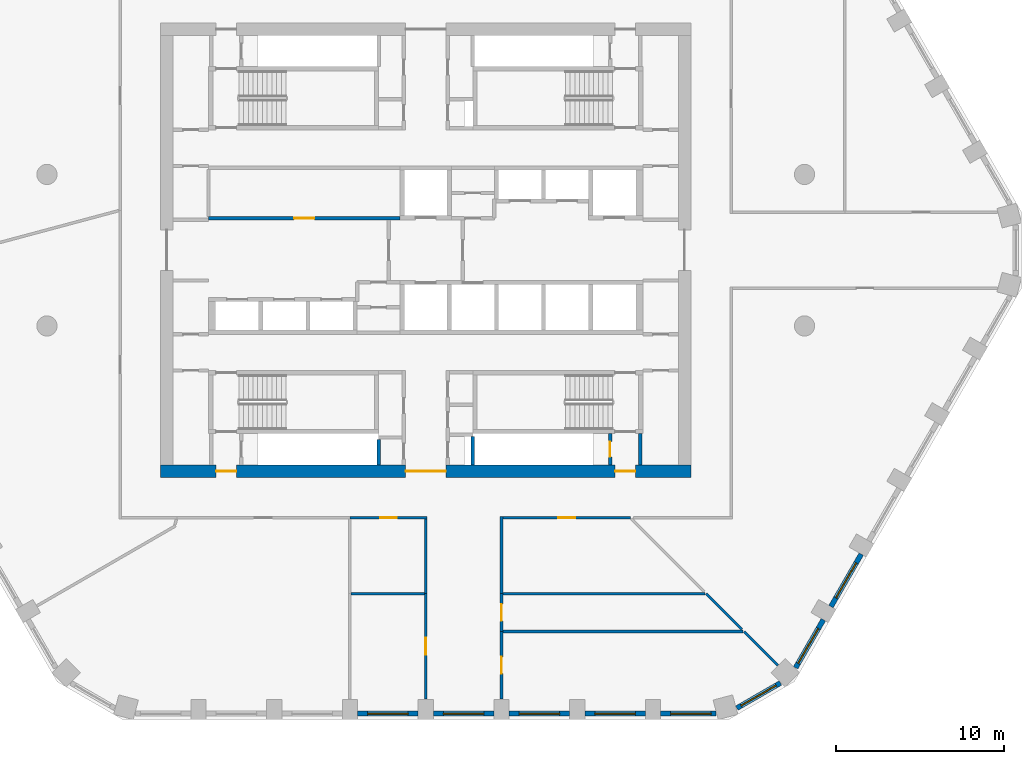
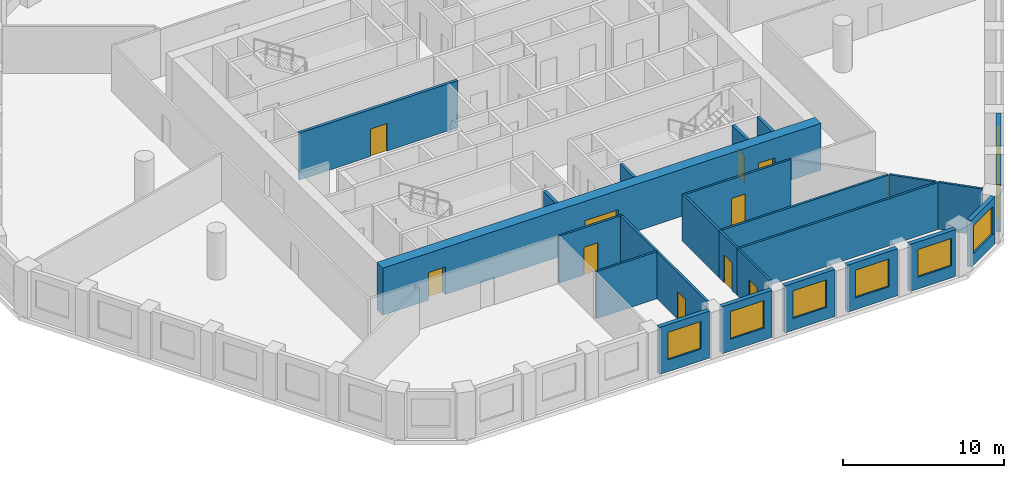
# One storey, part 3 of 9: 26 walls, 10 doors, 8 windows, 18 openings.
"""IFC4 building model written with IfcOpenShell, lengths in metres."""

from ifc_helpers import new_model, si_unit, direction, frame, frame_2d, origin, place, context, subcontext, project, spatial, rectangle, extrude, material, layer, layer_set, type_object, element, fill, save


model = new_model("IFC4")

# Units and contexts
model_context = context("Model", 3, precision=1e-05, world=origin(), true_north=direction((0.0, 1.0)))
body_context = subcontext(model_context, "Body", "Model", "MODEL_VIEW")
ifc_project = project(units=[si_unit("LENGTHUNIT", "METRE"), si_unit("AREAUNIT", "SQUARE_METRE"), si_unit("VOLUMEUNIT", "CUBIC_METRE"), si_unit("PLANEANGLEUNIT", "RADIAN"), si_unit("MASSUNIT", "GRAM", prefix="KILO")], contexts=[model_context])

# Site, building, storey
site_placement = place(None, origin())
site = spatial("IfcSite", under=ifc_project, at=site_placement, CompositionType="ELEMENT")
building_placement = place(site_placement, origin())
building = spatial("IfcBuilding", under=site, at=building_placement, Name="Dhurran Vertical Campus", CompositionType="ELEMENT")
storey_placement = place(building_placement, frame((0.0, 0.0, 171.60009765625)))
storey = spatial("IfcBuildingStorey", under=building, at=storey_placement, Name="L42", CompositionType="ELEMENT", Elevation=171.60009765625)

# Wall, opening, window
ifc_material_1 = material(Name="Precast concrete C50/60", Category="concrete")
ifc_layer_1 = layer(ifc_material_1, 0.300048828125)
ifc_layer_set_1 = layer_set([ifc_layer_1], Name="Precast concrete C50/60")
wall_type_1 = type_object("IfcWallType", Name="Precast spandrel wall 300", PredefinedType="SOLIDWALL", material=ifc_layer_set_1)
wall_1_placement = place(storey_placement, frame((-4.049560546875, -27.53271484375, 0.0), z_axis=(0.0, 0.0, 1.0), x_axis=(1.0, 0.0, 0.0)))
wall_1 = element("IfcWall", 1, at=wall_1_placement, inside=storey, type_object=wall_type_1, Name="EW1 L42.03", PredefinedType="SOLIDWALL", context=body_context, shape_type="SweptSolid", body=[
    extrude(rectangle(XDim=3.59912109375, YDim=0.300048828125, at=frame_2d((1.799560546875, 0.0))), origin(), (0.0, 0.0, 1.0), 3.574951171875),
])
opening_1_placement = place(wall_1_placement, frame((0.599609375, 0.0, 0.89990234375)))
opening_1 = element("IfcOpeningElement", 2, at=opening_1_placement, cuts=wall_1, Name="Opening WT1", PredefinedType="OPENING", context=body_context, shape_type="SweptSolid", body=[
    extrude(rectangle(XDim=2.39990234375, YDim=2.10009765625, at=frame_2d((1.199951171875, 1.050048828125))), frame((0.0, 0.159912109375, 0.0), z_axis=(0.0, -1.0, 0.0), x_axis=(1.0, 0.0, 0.0)), (0.0, 0.0, 1.0), 0.320068359375),
])
ifc_material_2 = material(Name="Aluminium frame with solar-control glass", Category="aluminium")
window_type = type_object("IfcWindowType", Name="Punched window 2400 x 2100", PartitioningType="SINGLE_PANEL", PredefinedType="WINDOW", material=ifc_material_2)
window_1_placement = place(opening_1_placement, origin())
window_1 = element("IfcWindow", 3, at=window_1_placement, inside=storey, type_object=window_type, Name="WT1 L42.03", OverallHeight=2.10009765625, OverallWidth=2.39990234375, PartitioningType="SINGLE_PANEL", PredefinedType="WINDOW", context=body_context, shape_type="SweptSolid", body=[
    extrude(rectangle(XDim=2.39990234375, YDim=2.10009765625, at=frame_2d((1.199951171875, 1.050048828125))), frame((0.0, 0.030029296875, 0.0), z_axis=(0.0, -1.0, 0.0), x_axis=(1.0, 0.0, 0.0)), (0.0, 0.0, 1.0), 0.06005859375),
])
fill(opening_1, window_1)

wall_2_placement = place(storey_placement, frame((0.450439453125, -27.53271484375, 0.0), z_axis=(0.0, 0.0, 1.0), x_axis=(1.0, 0.0, 0.0)))
wall_2 = element("IfcWall", 4, at=wall_2_placement, inside=storey, type_object=wall_type_1, Name="EW1 L42.04", PredefinedType="SOLIDWALL", context=body_context, shape_type="SweptSolid", body=[
    extrude(rectangle(XDim=3.59912109375, YDim=0.300048828125, at=frame_2d((1.799560546875, 0.0))), origin(), (0.0, 0.0, 1.0), 3.574951171875),
])
opening_2_placement = place(wall_2_placement, frame((0.599609375, 0.0, 0.89990234375)))
opening_2 = element("IfcOpeningElement", 5, at=opening_2_placement, cuts=wall_2, Name="Opening WT1", PredefinedType="OPENING", context=body_context, shape_type="SweptSolid", body=[
    extrude(rectangle(XDim=2.39990234375, YDim=2.10009765625, at=frame_2d((1.199951171875, 1.050048828125))), frame((0.0, 0.159912109375, 0.0), z_axis=(0.0, -1.0, 0.0), x_axis=(1.0, 0.0, 0.0)), (0.0, 0.0, 1.0), 0.320068359375),
])
window_2_placement = place(opening_2_placement, origin())
window_2 = element("IfcWindow", 6, at=window_2_placement, inside=storey, type_object=window_type, Name="WT1 L42.04", OverallHeight=2.10009765625, OverallWidth=2.39990234375, PartitioningType="SINGLE_PANEL", PredefinedType="WINDOW", context=body_context, shape_type="SweptSolid", body=[
    extrude(rectangle(XDim=2.39990234375, YDim=2.10009765625, at=frame_2d((1.199951171875, 1.050048828125))), frame((0.0, 0.030029296875, 0.0), z_axis=(0.0, -1.0, 0.0), x_axis=(1.0, 0.0, 0.0)), (0.0, 0.0, 1.0), 0.06005859375),
])
fill(opening_2, window_2)

wall_3_placement = place(storey_placement, frame((4.950439453125, -27.53271484375, 0.0), z_axis=(0.0, 0.0, 1.0), x_axis=(1.0, 0.0, 0.0)))
wall_3 = element("IfcWall", 7, at=wall_3_placement, inside=storey, type_object=wall_type_1, Name="EW1 L42.05", PredefinedType="SOLIDWALL", context=body_context, shape_type="SweptSolid", body=[
    extrude(rectangle(XDim=3.59912109375, YDim=0.300048828125, at=frame_2d((1.799560546875, 0.0))), origin(), (0.0, 0.0, 1.0), 3.574951171875),
])
opening_3_placement = place(wall_3_placement, frame((0.599609375, 0.0, 0.89990234375)))
opening_3 = element("IfcOpeningElement", 8, at=opening_3_placement, cuts=wall_3, Name="Opening WT1", PredefinedType="OPENING", context=body_context, shape_type="SweptSolid", body=[
    extrude(rectangle(XDim=2.39990234375, YDim=2.10009765625, at=frame_2d((1.199951171875, 1.050048828125))), frame((0.0, 0.159912109375, 0.0), z_axis=(0.0, -1.0, 0.0), x_axis=(1.0, 0.0, 0.0)), (0.0, 0.0, 1.0), 0.320068359375),
])
window_3_placement = place(opening_3_placement, origin())
window_3 = element("IfcWindow", 9, at=window_3_placement, inside=storey, type_object=window_type, Name="WT1 L42.05", OverallHeight=2.10009765625, OverallWidth=2.39990234375, PartitioningType="SINGLE_PANEL", PredefinedType="WINDOW", context=body_context, shape_type="SweptSolid", body=[
    extrude(rectangle(XDim=2.39990234375, YDim=2.10009765625, at=frame_2d((1.199951171875, 1.050048828125))), frame((0.0, 0.030029296875, 0.0), z_axis=(0.0, -1.0, 0.0), x_axis=(1.0, 0.0, 0.0)), (0.0, 0.0, 1.0), 0.06005859375),
])
fill(opening_3, window_3)

wall_4_placement = place(storey_placement, frame((9.450439453125, -27.53271484375, 0.0), z_axis=(0.0, 0.0, 1.0), x_axis=(1.0, 0.0, 0.0)))
wall_4 = element("IfcWall", 10, at=wall_4_placement, inside=storey, type_object=wall_type_1, Name="EW1 L42.06", PredefinedType="SOLIDWALL", context=body_context, shape_type="SweptSolid", body=[
    extrude(rectangle(XDim=3.59912109375, YDim=0.300048828125, at=frame_2d((1.799560546875, 0.0))), origin(), (0.0, 0.0, 1.0), 3.574951171875),
])
opening_4_placement = place(wall_4_placement, frame((0.599609375, 0.0, 0.89990234375)))
opening_4 = element("IfcOpeningElement", 11, at=opening_4_placement, cuts=wall_4, Name="Opening WT1", PredefinedType="OPENING", context=body_context, shape_type="SweptSolid", body=[
    extrude(rectangle(XDim=2.39990234375, YDim=2.10009765625, at=frame_2d((1.199951171875, 1.050048828125))), frame((0.0, 0.159912109375, 0.0), z_axis=(0.0, -1.0, 0.0), x_axis=(1.0, 0.0, 0.0)), (0.0, 0.0, 1.0), 0.320068359375),
])
window_4_placement = place(opening_4_placement, origin())
window_4 = element("IfcWindow", 12, at=window_4_placement, inside=storey, type_object=window_type, Name="WT1 L42.06", OverallHeight=2.10009765625, OverallWidth=2.39990234375, PartitioningType="SINGLE_PANEL", PredefinedType="WINDOW", context=body_context, shape_type="SweptSolid", body=[
    extrude(rectangle(XDim=2.39990234375, YDim=2.10009765625, at=frame_2d((1.199951171875, 1.050048828125))), frame((0.0, 0.030029296875, 0.0), z_axis=(0.0, -1.0, 0.0), x_axis=(1.0, 0.0, 0.0)), (0.0, 0.0, 1.0), 0.06005859375),
])
fill(opening_4, window_4)

wall_5_placement = place(storey_placement, frame((13.950439453125, -27.53271484375, 0.0), z_axis=(0.0, 0.0, 1.0), x_axis=(1.0, 0.0, 0.0)))
wall_5 = element("IfcWall", 13, at=wall_5_placement, inside=storey, type_object=wall_type_1, Name="EW1 L42.07", PredefinedType="SOLIDWALL", context=body_context, shape_type="SweptSolid", body=[
    extrude(rectangle(XDim=3.294189453125, YDim=0.300048828125, at=frame_2d((1.64697265625, 0.0))), origin(), (0.0, 0.0, 1.0), 3.574951171875),
])
opening_5_placement = place(wall_5_placement, frame((0.599609375, 0.0, 0.89990234375)))
opening_5 = element("IfcOpeningElement", 14, at=opening_5_placement, cuts=wall_5, Name="Opening WT1", PredefinedType="OPENING", context=body_context, shape_type="SweptSolid", body=[
    extrude(rectangle(XDim=2.39990234375, YDim=2.10009765625, at=frame_2d((1.199951171875, 1.050048828125))), frame((0.0, 0.159912109375, 0.0), z_axis=(0.0, -1.0, 0.0), x_axis=(1.0, 0.0, 0.0)), (0.0, 0.0, 1.0), 0.320068359375),
])
window_5_placement = place(opening_5_placement, origin())
window_5 = element("IfcWindow", 15, at=window_5_placement, inside=storey, type_object=window_type, Name="WT1 L42.07", OverallHeight=2.10009765625, OverallWidth=2.39990234375, PartitioningType="SINGLE_PANEL", PredefinedType="WINDOW", context=body_context, shape_type="SweptSolid", body=[
    extrude(rectangle(XDim=2.39990234375, YDim=2.10009765625, at=frame_2d((1.199951171875, 1.050048828125))), frame((0.0, 0.030029296875, 0.0), z_axis=(0.0, -1.0, 0.0), x_axis=(1.0, 0.0, 0.0)), (0.0, 0.0, 1.0), 0.06005859375),
])
fill(opening_5, window_5)

wall_6_placement = place(storey_placement, frame((18.479248046875, -27.201904296875, 0.0), z_axis=(0.0, 0.0, 1.0), x_axis=(0.866012844897, 0.500021752, 0.0)))
wall_6 = element("IfcWall", 16, at=wall_6_placement, inside=storey, type_object=wall_type_1, Name="EW1 L42.08", PredefinedType="SOLIDWALL", context=body_context, shape_type="SweptSolid", body=[
    extrude(rectangle(XDim=2.989013671875, YDim=0.300048828125, at=frame_2d((1.49462890625, 0.0))), origin(), (0.0, 0.0, 1.0), 3.574951171875),
])
opening_6_placement = place(wall_6_placement, frame((0.294677734375, 0.0, 0.89990234375)))
opening_6 = element("IfcOpeningElement", 17, at=opening_6_placement, cuts=wall_6, Name="Opening WT1", PredefinedType="OPENING", context=body_context, shape_type="SweptSolid", body=[
    extrude(rectangle(XDim=2.39990234375, YDim=2.10009765625, at=frame_2d((1.199951171875, 1.050048828125))), frame((0.0, 0.159912109375, 0.0), z_axis=(0.0, -1.0, 0.0), x_axis=(1.0, 0.0, 0.0)), (0.0, 0.0, 1.0), 0.320068359375),
])
window_6_placement = place(opening_6_placement, origin())
window_6 = element("IfcWindow", 18, at=window_6_placement, inside=storey, type_object=window_type, Name="WT1 L42.08", OverallHeight=2.10009765625, OverallWidth=2.39990234375, PartitioningType="SINGLE_PANEL", PredefinedType="WINDOW", context=body_context, shape_type="SweptSolid", body=[
    extrude(rectangle(XDim=2.39990234375, YDim=2.10009765625, at=frame_2d((1.199951171875, 1.050048828125))), frame((0.0, 0.030029296875, 0.0), z_axis=(0.0, -1.0, 0.0), x_axis=(1.0, 0.0, 0.0)), (0.0, 0.0, 1.0), 0.06005859375),
])
fill(opening_6, window_6)

wall_7_placement = place(storey_placement, frame((21.9716796875, -24.803466796875, 0.0), z_axis=(0.0, 0.0, 1.0), x_axis=(0.500036802197, 0.866004154983, 0.0)))
wall_7 = element("IfcWall", 19, at=wall_7_placement, inside=storey, type_object=wall_type_1, Name="EW1 L42.09", PredefinedType="SOLIDWALL", context=body_context, shape_type="SweptSolid", body=[
    extrude(rectangle(XDim=3.294189453125, YDim=0.300048828125, at=frame_2d((1.64697265625, 0.0))), origin(), (0.0, 0.0, 1.0), 3.574951171875),
])
opening_7_placement = place(wall_7_placement, frame((0.29443359375, 0.0, 0.89990234375)))
opening_7 = element("IfcOpeningElement", 20, at=opening_7_placement, cuts=wall_7, Name="Opening WT1", PredefinedType="OPENING", context=body_context, shape_type="SweptSolid", body=[
    extrude(rectangle(XDim=2.39990234375, YDim=2.10009765625, at=frame_2d((1.199951171875, 1.050048828125))), frame((0.0, 0.159912109375, 0.0), z_axis=(0.0, -1.0, 0.0), x_axis=(1.0, 0.0, 0.0)), (0.0, 0.0, 1.0), 0.320068359375),
])
window_7_placement = place(opening_7_placement, origin())
window_7 = element("IfcWindow", 21, at=window_7_placement, inside=storey, type_object=window_type, Name="WT1 L42.09", OverallHeight=2.10009765625, OverallWidth=2.39990234375, PartitioningType="SINGLE_PANEL", PredefinedType="WINDOW", context=body_context, shape_type="SweptSolid", body=[
    extrude(rectangle(XDim=2.39990234375, YDim=2.10009765625, at=frame_2d((1.199951171875, 1.050048828125))), frame((0.0, 0.030029296875, 0.0), z_axis=(0.0, -1.0, 0.0), x_axis=(1.0, 0.0, 0.0)), (0.0, 0.0, 1.0), 0.06005859375),
])
fill(opening_7, window_7)

wall_8_placement = place(storey_placement, frame((24.0693359375, -21.17041015625, 0.0), z_axis=(0.0, 0.0, 1.0), x_axis=(0.500027802648, 0.866009351323, 0.0)))
wall_8 = element("IfcWall", 22, at=wall_8_placement, inside=storey, type_object=wall_type_1, Name="EW1 L42.10", PredefinedType="SOLIDWALL", context=body_context, shape_type="SweptSolid", body=[
    extrude(rectangle(XDim=3.598876953125, YDim=0.300048828125, at=frame_2d((1.79931640625, 0.0))), origin(), (0.0, 0.0, 1.0), 3.574951171875),
])
opening_8_placement = place(wall_8_placement, frame((0.599609375, 0.0, 0.89990234375)))
opening_8 = element("IfcOpeningElement", 23, at=opening_8_placement, cuts=wall_8, Name="Opening WT1", PredefinedType="OPENING", context=body_context, shape_type="SweptSolid", body=[
    extrude(rectangle(XDim=2.39990234375, YDim=2.10009765625, at=frame_2d((1.199951171875, 1.050048828125))), frame((0.0, 0.159912109375, 0.0), z_axis=(0.0, -1.0, 0.0), x_axis=(1.0, 0.0, 0.0)), (0.0, 0.0, 1.0), 0.320068359375),
])
window_8_placement = place(opening_8_placement, origin())
window_8 = element("IfcWindow", 24, at=window_8_placement, inside=storey, type_object=window_type, Name="WT1 L42.10", OverallHeight=2.10009765625, OverallWidth=2.39990234375, PartitioningType="SINGLE_PANEL", PredefinedType="WINDOW", context=body_context, shape_type="SweptSolid", body=[
    extrude(rectangle(XDim=2.39990234375, YDim=2.10009765625, at=frame_2d((1.199951171875, 1.050048828125))), frame((0.0, 0.030029296875, 0.0), z_axis=(0.0, -1.0, 0.0), x_axis=(1.0, 0.0, 0.0)), (0.0, 0.0, 1.0), 0.06005859375),
])
fill(opening_8, window_8)

# Wall, openings, doors
ifc_material_3 = material(Name="Concrete C60/75", Category="concrete")
ifc_layer_2 = layer(ifc_material_3, 0.75)
ifc_layer_set_2 = layer_set([ifc_layer_2], Name="Concrete C60/75")
wall_type_2 = type_object("IfcWallType", Name="co-CORE-WALL-C1-750", PredefinedType="SHEAR", material=ifc_layer_set_2)
wall_9_placement = place(storey_placement, frame((-15.75, -13.125, 0.0), z_axis=(0.0, 0.0, 1.0), x_axis=(1.0, 0.0, 0.0)))
wall_9 = element("IfcWall", 25, at=wall_9_placement, inside=storey, type_object=wall_type_2, Name="Core wall S L42", PredefinedType="SHEAR", context=body_context, shape_type="SweptSolid", body=[
    extrude(rectangle(XDim=31.5, YDim=0.75, at=frame_2d((15.75, 0.0))), origin(), (0.0, 0.0, 1.0), 3.574951171875),
])
opening_9_placement = place(wall_9_placement, frame((14.550048828125, 0.0, 0.0)))
opening_9 = element("IfcOpeningElement", 26, at=opening_9_placement, cuts=wall_9, Name="Opening CV2", PredefinedType="OPENING", context=body_context, shape_type="SweptSolid", body=[
    extrude(rectangle(XDim=2.39990234375, YDim=2.10009765625, at=frame_2d((1.199951171875, 1.050048828125))), frame((0.0, 0.385009765625, 0.0), z_axis=(0.0, -1.0, 0.0), x_axis=(1.0, 0.0, 0.0)), (0.0, 0.0, 1.0), 0.77001953125),
])
opening_10_placement = place(wall_9_placement, frame((3.300048828125, 0.0, 0.0)))
opening_10 = element("IfcOpeningElement", 27, at=opening_10_placement, cuts=wall_9, Name="Opening XD3", PredefinedType="OPENING", context=body_context, shape_type="SweptSolid", body=[
    extrude(rectangle(XDim=1.199951171875, YDim=2.10009765625, at=frame_2d((0.60009765625, 1.050048828125))), frame((0.0, 0.385009765625, 0.0), z_axis=(0.0, -1.0, 0.0), x_axis=(1.0, 0.0, 0.0)), (0.0, 0.0, 1.0), 0.77001953125),
])
opening_11_placement = place(wall_9_placement, frame((27.0, 0.0, 0.0)))
opening_11 = element("IfcOpeningElement", 28, at=opening_11_placement, cuts=wall_9, Name="Opening XD4", PredefinedType="OPENING", context=body_context, shape_type="SweptSolid", body=[
    extrude(rectangle(XDim=1.199951171875, YDim=2.10009765625, at=frame_2d((0.60009765625, 1.050048828125))), frame((0.0, 0.385009765625, 0.0), z_axis=(0.0, -1.0, 0.0), x_axis=(1.0, 0.0, 0.0)), (0.0, 0.0, 1.0), 0.77001953125),
])
ifc_material_4 = material(Name="Fire-rated glazed door set")
door_type_1 = type_object("IfcDoorType", Name="co-D-LOBBY 2400x2100", OperationType="DOUBLE_DOOR_DOUBLE_SWING", PredefinedType="DOOR", material=ifc_material_4)
door_1_placement = place(opening_9_placement, origin())
door_1 = element("IfcDoor", 29, at=door_1_placement, inside=storey, type_object=door_type_1, Name="Core vestibule door S L42", OperationType="DOUBLE_DOOR_DOUBLE_SWING", OverallHeight=2.10009765625, OverallWidth=2.39990234375, PredefinedType="DOOR", context=body_context, shape_type="SweptSolid", body=[
    extrude(rectangle(XDim=2.39990234375, YDim=2.10009765625, at=frame_2d((1.199951171875, 1.050048828125))), frame((0.0, 0.02490234375, 0.0), z_axis=(0.0, -1.0, 0.0), x_axis=(1.0, 0.0, 0.0)), (0.0, 0.0, 1.0), 0.050048828125),
])
fill(opening_9, door_1)
ifc_material_5 = material(Name="Fire-rated steel door set", Category="steel")
door_type_2 = type_object("IfcDoorType", Name="co-D-STAIR-EXIT 1200x2100", OperationType="SINGLE_SWING_RIGHT", PredefinedType="DOOR", material=ifc_material_5)
door_2_placement = place(opening_10_placement, origin())
door_2 = element("IfcDoor", 30, at=door_2_placement, inside=storey, type_object=door_type_2, Name="Stair ST3 exit door L42", OperationType="SINGLE_SWING_RIGHT", OverallHeight=2.10009765625, OverallWidth=1.199951171875, PredefinedType="DOOR", context=body_context, shape_type="SweptSolid", body=[
    extrude(rectangle(XDim=1.199951171875, YDim=2.10009765625, at=frame_2d((0.60009765625, 1.050048828125))), frame((0.0, 0.02490234375, 0.0), z_axis=(0.0, -1.0, 0.0), x_axis=(1.0, 0.0, 0.0)), (0.0, 0.0, 1.0), 0.050048828125),
])
fill(opening_10, door_2)
door_3_placement = place(opening_11_placement, origin())
door_3 = element("IfcDoor", 31, at=door_3_placement, inside=storey, type_object=door_type_2, Name="Stair ST4 exit door L42", OperationType="SINGLE_SWING_RIGHT", OverallHeight=2.10009765625, OverallWidth=1.199951171875, PredefinedType="DOOR", context=body_context, shape_type="SweptSolid", body=[
    extrude(rectangle(XDim=1.199951171875, YDim=2.10009765625, at=frame_2d((0.60009765625, 1.050048828125))), frame((0.0, 0.02490234375, 0.0), z_axis=(0.0, -1.0, 0.0), x_axis=(1.0, 0.0, 0.0)), (0.0, 0.0, 1.0), 0.050048828125),
])
fill(opening_11, door_3)

# Wall
ifc_material_6 = material(Name="Fire-rated masonry blockwork", Category="masonry")
ifc_layer_3 = layer(ifc_material_6, 0.199951171875)
ifc_layer_set_3 = layer_set([ifc_layer_3], Name="Fire-rated masonry blockwork")
wall_type_3 = type_object("IfcWallType", Name="co-FIRE-PARTITION-200", PredefinedType="PARTITIONING", material=ifc_layer_set_3)
wall_10_placement = place(storey_placement, frame((12.75, -12.75, 0.0), z_axis=(0.0, 0.0, 1.0), x_axis=(0.0, 1.0, 0.0)))
element("IfcWall", 32, at=wall_10_placement, inside=storey, type_object=wall_type_3, Name="Core partition pass-ST4-o L42", PredefinedType="PARTITIONING", context=body_context, shape_type="SweptSolid", body=[
    extrude(rectangle(XDim=1.85009765625, YDim=0.199951171875, at=frame_2d((0.925048828125, 0.0))), origin(), (0.0, 0.0, 1.0), 3.574951171875),
])

# Wall, opening, door
wall_11_placement = place(storey_placement, frame((10.949951171875, -12.75, 0.0), z_axis=(0.0, 0.0, 1.0), x_axis=(0.0, 1.0, 0.0)))
wall_11 = element("IfcWall", 33, at=wall_11_placement, inside=storey, type_object=wall_type_3, Name="Core partition pass-ST4-i L42", PredefinedType="PARTITIONING", context=body_context, shape_type="SweptSolid", body=[
    extrude(rectangle(XDim=1.85009765625, YDim=0.199951171875, at=frame_2d((0.925048828125, 0.0))), origin(), (0.0, 0.0, 1.0), 3.574951171875),
])
opening_12_placement = place(wall_11_placement, frame((0.47509765625, 0.0, 0.0)))
opening_12 = element("IfcOpeningElement", 34, at=opening_12_placement, cuts=wall_11, Name="Opening T12-C13", PredefinedType="OPENING", context=body_context, shape_type="SweptSolid", body=[
    extrude(rectangle(XDim=0.89990234375, YDim=2.10009765625, at=frame_2d((0.449951171875, 1.050048828125))), frame((0.0, 0.10986328125, 0.0), z_axis=(0.0, -1.0, 0.0), x_axis=(1.0, 0.0, 0.0)), (0.0, 0.0, 1.0), 0.219970703125),
])
ifc_material_7 = material(Name="Fire-rated timber door set", Category="wood")
door_type_3 = type_object("IfcDoorType", Name="co-D-ROOM 900x2100", OperationType="SINGLE_SWING_LEFT", PredefinedType="DOOR", material=ifc_material_7)
door_4_placement = place(opening_12_placement, origin())
door_4 = element("IfcDoor", 35, at=door_4_placement, inside=storey, type_object=door_type_3, Name="Riser room door L42", OperationType="SINGLE_SWING_LEFT", OverallHeight=2.10009765625, OverallWidth=0.89990234375, PredefinedType="DOOR", context=body_context, shape_type="SweptSolid", body=[
    extrude(rectangle(XDim=0.89990234375, YDim=2.10009765625, at=frame_2d((0.449951171875, 1.050048828125))), frame((0.0, 0.02490234375, 0.0), z_axis=(0.0, -1.0, 0.0), x_axis=(1.0, 0.0, 0.0)), (0.0, 0.0, 1.0), 0.050048828125),
])
fill(opening_12, door_4)

wall_12_placement = place(storey_placement, frame((-12.89990234375, 1.89990234375, 0.0), z_axis=(0.0, 0.0, 1.0), x_axis=(1.0, 0.0, 0.0)))
wall_12 = element("IfcWall", 36, at=wall_12_placement, inside=storey, type_object=wall_type_3, Name="Core partition fr-N0-f L42", PredefinedType="PARTITIONING", context=body_context, shape_type="SweptSolid", body=[
    extrude(rectangle(XDim=11.375, YDim=0.199951171875, at=frame_2d((5.6875, 0.0))), origin(), (0.0, 0.0, 1.0), 3.574951171875),
])
opening_13_placement = place(wall_12_placement, frame((5.08740234375, 0.0, 0.0)))
opening_13 = element("IfcOpeningElement", 37, at=opening_13_placement, cuts=wall_12, Name="Opening T12-C22", PredefinedType="OPENING", context=body_context, shape_type="SweptSolid", body=[
    extrude(rectangle(XDim=1.199951171875, YDim=2.10009765625, at=frame_2d((0.60009765625, 1.050048828125))), frame((0.0, 0.10986328125, 0.0), z_axis=(0.0, -1.0, 0.0), x_axis=(1.0, 0.0, 0.0)), (0.0, 0.0, 1.0), 0.219970703125),
])
ifc_material_8 = material(Name="Fire-rated steel door set", Category="steel")
door_type_4 = type_object("IfcDoorType", Name="co-D-ROOM-PASSAGE 1200x2100", OperationType="SINGLE_SWING_RIGHT", PredefinedType="DOOR", material=ifc_material_8)
door_5_placement = place(opening_13_placement, origin())
door_5 = element("IfcDoor", 38, at=door_5_placement, inside=storey, type_object=door_type_4, Name="Plant room door L42", OperationType="SINGLE_SWING_RIGHT", OverallHeight=2.10009765625, OverallWidth=1.199951171875, PredefinedType="DOOR", context=body_context, shape_type="SweptSolid", body=[
    extrude(rectangle(XDim=1.199951171875, YDim=2.10009765625, at=frame_2d((0.60009765625, 1.050048828125))), frame((0.0, 0.02490234375, 0.0), z_axis=(0.0, -1.0, 0.0), x_axis=(1.0, 0.0, 0.0)), (0.0, 0.0, 1.0), 0.050048828125),
])
fill(opening_13, door_5)

# Walls
wall_13_placement = place(storey_placement, frame((-2.800048828125, -12.7490234375, 0.0), z_axis=(0.0, 0.0, 1.0), x_axis=(0.0, 1.0, 0.0)))
element("IfcWall", 39, at=wall_13_placement, inside=storey, type_object=wall_type_3, Name="Riser enclosure wall L42", PredefinedType="PARTITIONING", context=body_context, shape_type="SweptSolid", body=[
    extrude(rectangle(XDim=1.51806640625, YDim=0.199951171875, at=frame_2d((0.759033203125, 0.0))), origin(), (0.0, 0.0, 1.0), 3.574951171875),
])
wall_14_placement = place(storey_placement, frame((2.800048828125, -12.7490234375, 0.0), z_axis=(0.0, 0.0, 1.0), x_axis=(0.0, 1.0, 0.0)))
element("IfcWall", 40, at=wall_14_placement, inside=storey, type_object=wall_type_3, Name="Riser enclosure wall L42", PredefinedType="PARTITIONING", context=body_context, shape_type="SweptSolid", body=[
    extrude(rectangle(XDim=1.679931640625, YDim=0.199951171875, at=frame_2d((0.83984375, 0.0))), origin(), (0.0, 0.0, 1.0), 3.574951171875),
])

# Wall, opening, door
ifc_material_9 = material(Name="Gypsum board corridor wall on steel studs", Category="steel")
ifc_layer_4 = layer(ifc_material_9, 0.14990234375)
ifc_layer_set_4 = layer_set([ifc_layer_4], Name="Gypsum board corridor wall on steel studs")
wall_type_4 = type_object("IfcWallType", Name="fl-CW-150 corridor wall", PredefinedType="PARTITIONING", material=ifc_layer_set_4)
wall_15_placement = place(storey_placement, frame((-4.5, -15.89990234375, 0.0), z_axis=(0.0, 0.0, 1.0), x_axis=(1.0, 0.0, 0.0)))
wall_15 = element("IfcWall", 41, at=wall_15_placement, inside=storey, type_object=wall_type_4, Name="Partition 42-15", PredefinedType="PARTITIONING", context=body_context, shape_type="SweptSolid", body=[
    extrude(rectangle(XDim=4.574951171875, YDim=0.14990234375, at=frame_2d((2.28759765625, 0.0))), origin(), (0.0, 0.0, 1.0), 3.574951171875),
])
opening_14_placement = place(wall_15_placement, frame((1.78759765625, 0.0, 0.0)))
opening_14 = element("IfcOpeningElement", 42, at=opening_14_placement, cuts=wall_15, Name="Opening T12.06", PredefinedType="OPENING", context=body_context, shape_type="SweptSolid", body=[
    extrude(rectangle(XDim=1.0, YDim=2.10009765625, at=frame_2d((0.5, 1.050048828125))), frame((0.0, 0.0849609375, 0.0), z_axis=(0.0, -1.0, 0.0), x_axis=(1.0, 0.0, 0.0)), (0.0, 0.0, 1.0), 0.169921875),
])
ifc_material_10 = material(Name="Solid-core timber door set, fire-rated", Category="wood")
door_type_5 = type_object("IfcDoorType", Name="fl-D-1000x2100", OperationType="SINGLE_SWING_LEFT", PredefinedType="DOOR", material=ifc_material_10)
door_6_placement = place(opening_14_placement, origin())
door_6 = element("IfcDoor", 43, at=door_6_placement, inside=storey, type_object=door_type_5, Name="Door 42.06", OperationType="SINGLE_SWING_LEFT", OverallHeight=2.10009765625, OverallWidth=1.0, PredefinedType="DOOR", context=body_context, shape_type="SweptSolid", body=[
    extrude(rectangle(XDim=1.0, YDim=2.10009765625, at=frame_2d((0.5, 1.050048828125))), frame((0.0, 0.02490234375, 0.0), z_axis=(0.0, -1.0, 0.0), x_axis=(1.0, 0.0, 0.0)), (0.0, 0.0, 1.0), 0.050048828125),
])
fill(opening_14, door_6)

wall_16_placement = place(storey_placement, frame((0.0, -26.66259765625, 0.0), z_axis=(0.0, 0.0, 1.0), x_axis=(0.0, 1.0, 0.0)))
wall_16 = element("IfcWall", 44, at=wall_16_placement, inside=storey, type_object=wall_type_4, Name="Partition 42-20", PredefinedType="PARTITIONING", context=body_context, shape_type="SweptSolid", body=[
    extrude(rectangle(XDim=6.2626953125, YDim=0.14990234375, at=frame_2d((3.13134765625, 0.0))), origin(), (0.0, 0.0, 1.0), 3.574951171875),
])
opening_15_placement = place(wall_16_placement, frame((2.63134765625, 0.0, 0.0)))
opening_15 = element("IfcOpeningElement", 45, at=opening_15_placement, cuts=wall_16, Name="Opening T12.05", PredefinedType="OPENING", context=body_context, shape_type="SweptSolid", body=[
    extrude(rectangle(XDim=1.0, YDim=2.10009765625, at=frame_2d((0.5, 1.050048828125))), frame((0.0, 0.0849609375, 0.0), z_axis=(0.0, -1.0, 0.0), x_axis=(1.0, 0.0, 0.0)), (0.0, 0.0, 1.0), 0.169921875),
])
door_7_placement = place(opening_15_placement, origin())
door_7 = element("IfcDoor", 46, at=door_7_placement, inside=storey, type_object=door_type_5, Name="Door 42.05", OperationType="SINGLE_SWING_RIGHT", OverallHeight=2.10009765625, OverallWidth=1.0, PredefinedType="DOOR", context=body_context, shape_type="SweptSolid", body=[
    extrude(rectangle(XDim=1.0, YDim=2.10009765625, at=frame_2d((0.5, 1.050048828125))), frame((0.0, 0.02490234375, 0.0), z_axis=(0.0, -1.0, 0.0), x_axis=(1.0, 0.0, 0.0)), (0.0, 0.0, 1.0), 0.050048828125),
])
fill(opening_15, door_7)

# Wall
wall_17_placement = place(storey_placement, frame((0.0, -20.39990234375, 0.0), z_axis=(0.0, 0.0, 1.0), x_axis=(0.0, 1.0, 0.0)))
element("IfcWall", 47, at=wall_17_placement, inside=storey, type_object=wall_type_4, Name="Partition 42-21", PredefinedType="PARTITIONING", context=body_context, shape_type="SweptSolid", body=[
    extrude(rectangle(XDim=4.4248046875, YDim=0.14990234375, at=frame_2d((2.21240234375, 0.0))), origin(), (0.0, 0.0, 1.0), 3.574951171875),
])

# Wall, opening, door
wall_18_placement = place(storey_placement, frame((4.5, -22.64990234375, 0.0), z_axis=(0.0, 0.0, 1.0), x_axis=(0.0, -1.0, 0.0)))
wall_18 = element("IfcWall", 48, at=wall_18_placement, inside=storey, type_object=wall_type_4, Name="Partition 42-24", PredefinedType="PARTITIONING", context=body_context, shape_type="SweptSolid", body=[
    extrude(rectangle(XDim=4.0126953125, YDim=0.14990234375, at=frame_2d((2.00634765625, 0.0))), origin(), (0.0, 0.0, 1.0), 3.574951171875),
])
opening_16_placement = place(wall_18_placement, frame((1.50634765625, 0.0, 0.0)))
opening_16 = element("IfcOpeningElement", 49, at=opening_16_placement, cuts=wall_18, Name="Opening T12.14", PredefinedType="OPENING", context=body_context, shape_type="SweptSolid", body=[
    extrude(rectangle(XDim=1.0, YDim=2.10009765625, at=frame_2d((0.5, 1.050048828125))), frame((0.0, 0.0849609375, 0.0), z_axis=(0.0, -1.0, 0.0), x_axis=(1.0, 0.0, 0.0)), (0.0, 0.0, 1.0), 0.169921875),
])
door_8_placement = place(opening_16_placement, origin())
door_8 = element("IfcDoor", 50, at=door_8_placement, inside=storey, type_object=door_type_5, Name="Door 42.14", OperationType="SINGLE_SWING_LEFT", OverallHeight=2.10009765625, OverallWidth=1.0, PredefinedType="DOOR", context=body_context, shape_type="SweptSolid", body=[
    extrude(rectangle(XDim=1.0, YDim=2.10009765625, at=frame_2d((0.5, 1.050048828125))), frame((0.0, 0.02490234375, 0.0), z_axis=(0.0, -1.0, 0.0), x_axis=(1.0, 0.0, 0.0)), (0.0, 0.0, 1.0), 0.050048828125),
])
fill(opening_16, door_8)

wall_19_placement = place(storey_placement, frame((4.5, -20.39990234375, 0.0), z_axis=(0.0, 0.0, 1.0), x_axis=(0.0, -1.0, 0.0)))
wall_19 = element("IfcWall", 51, at=wall_19_placement, inside=storey, type_object=wall_type_4, Name="Partition 42-25", PredefinedType="PARTITIONING", context=body_context, shape_type="SweptSolid", body=[
    extrude(rectangle(XDim=2.25, YDim=0.14990234375, at=frame_2d((1.125, 0.0))), origin(), (0.0, 0.0, 1.0), 3.574951171875),
])
opening_17_placement = place(wall_19_placement, frame((0.625, 0.0, 0.0)))
opening_17 = element("IfcOpeningElement", 52, at=opening_17_placement, cuts=wall_19, Name="Opening T12.13", PredefinedType="OPENING", context=body_context, shape_type="SweptSolid", body=[
    extrude(rectangle(XDim=1.0, YDim=2.10009765625, at=frame_2d((0.5, 1.050048828125))), frame((0.0, 0.0849609375, 0.0), z_axis=(0.0, -1.0, 0.0), x_axis=(1.0, 0.0, 0.0)), (0.0, 0.0, 1.0), 0.169921875),
])
door_9_placement = place(opening_17_placement, origin())
door_9 = element("IfcDoor", 53, at=door_9_placement, inside=storey, type_object=door_type_5, Name="Door 42.13", OperationType="SINGLE_SWING_RIGHT", OverallHeight=2.10009765625, OverallWidth=1.0, PredefinedType="DOOR", context=body_context, shape_type="SweptSolid", body=[
    extrude(rectangle(XDim=1.0, YDim=2.10009765625, at=frame_2d((0.5, 1.050048828125))), frame((0.0, 0.02490234375, 0.0), z_axis=(0.0, -1.0, 0.0), x_axis=(1.0, 0.0, 0.0)), (0.0, 0.0, 1.0), 0.050048828125),
])
fill(opening_17, door_9)

# Wall
wall_20_placement = place(storey_placement, frame((4.5, -15.824951171875, 0.0), z_axis=(0.0, 0.0, 1.0), x_axis=(0.0, -1.0, 0.0)))
element("IfcWall", 54, at=wall_20_placement, inside=storey, type_object=wall_type_4, Name="Partition 42-27", PredefinedType="PARTITIONING", context=body_context, shape_type="SweptSolid", body=[
    extrude(rectangle(XDim=4.574951171875, YDim=0.14990234375, at=frame_2d((2.28759765625, 0.0))), origin(), (0.0, 0.0, 1.0), 3.574951171875),
])

# Wall, opening, door
wall_21_placement = place(storey_placement, frame((4.574951171875, -15.89990234375, 0.0), z_axis=(0.0, 0.0, 1.0), x_axis=(1.0, 0.0, 0.0)))
wall_21 = element("IfcWall", 55, at=wall_21_placement, inside=storey, type_object=wall_type_4, Name="Partition 42-29", PredefinedType="PARTITIONING", context=body_context, shape_type="SweptSolid", body=[
    extrude(rectangle(XDim=7.589111328125, YDim=0.14990234375, at=frame_2d((3.79443359375, 0.0))), origin(), (0.0, 0.0, 1.0), 3.574951171875),
])
opening_18_placement = place(wall_21_placement, frame((3.29443359375, 0.0, 0.0)))
opening_18 = element("IfcOpeningElement", 56, at=opening_18_placement, cuts=wall_21, Name="Opening T12.12", PredefinedType="OPENING", context=body_context, shape_type="SweptSolid", body=[
    extrude(rectangle(XDim=1.0, YDim=2.10009765625, at=frame_2d((0.5, 1.050048828125))), frame((0.0, 0.0849609375, 0.0), z_axis=(0.0, -1.0, 0.0), x_axis=(1.0, 0.0, 0.0)), (0.0, 0.0, 1.0), 0.169921875),
])
door_10_placement = place(opening_18_placement, origin())
door_10 = element("IfcDoor", 57, at=door_10_placement, inside=storey, type_object=door_type_5, Name="Door 42.12", OperationType="SINGLE_SWING_RIGHT", OverallHeight=2.10009765625, OverallWidth=1.0, PredefinedType="DOOR", context=body_context, shape_type="SweptSolid", body=[
    extrude(rectangle(XDim=1.0, YDim=2.10009765625, at=frame_2d((0.5, 1.050048828125))), frame((0.0, 0.02490234375, 0.0), z_axis=(0.0, -1.0, 0.0), x_axis=(1.0, 0.0, 0.0)), (0.0, 0.0, 1.0), 0.050048828125),
])
fill(opening_18, door_10)

# Walls
ifc_material_11 = material(Name="Gypsum board partition on steel studs", Category="steel")
ifc_layer_5 = layer(ifc_material_11, 0.14990234375)
ifc_layer_set_5 = layer_set([ifc_layer_5], Name="Gypsum board partition on steel studs")
wall_type_5 = type_object("IfcWallType", Name="fl-PW-150 fixed partition", PredefinedType="PARTITIONING", material=ifc_layer_set_5)
wall_22_placement = place(storey_placement, frame((-4.425048828125, -20.39990234375, 0.0), z_axis=(0.0, 0.0, 1.0), x_axis=(1.0, 0.0, 0.0)))
element("IfcWall", 58, at=wall_22_placement, inside=storey, type_object=wall_type_5, Name="Partition 42-14", PredefinedType="PARTITIONING", context=body_context, shape_type="SweptSolid", body=[
    extrude(rectangle(XDim=4.35009765625, YDim=0.14990234375, at=frame_2d((2.175048828125, 0.0))), origin(), (0.0, 0.0, 1.0), 3.574951171875),
])
wall_23_placement = place(storey_placement, frame((18.839111328125, -22.64990234375, 0.0), z_axis=(0.0, 0.0, 1.0), x_axis=(-1.0, 0.0, 0.0)))
element("IfcWall", 59, at=wall_23_placement, inside=storey, type_object=wall_type_5, Name="Partition 42-26", PredefinedType="PARTITIONING", context=body_context, shape_type="SweptSolid", body=[
    extrude(rectangle(XDim=14.26416015625, YDim=0.14990234375, at=frame_2d((7.132080078125, 0.0))), origin(), (0.0, 0.0, 1.0), 3.574951171875),
])
wall_24_placement = place(storey_placement, frame((16.589111328125, -20.39990234375, 0.0), z_axis=(0.0, 0.0, 1.0), x_axis=(-1.0, 0.0, 0.0)))
element("IfcWall", 60, at=wall_24_placement, inside=storey, type_object=wall_type_5, Name="Partition 42-28", PredefinedType="PARTITIONING", context=body_context, shape_type="SweptSolid", body=[
    extrude(rectangle(XDim=12.01416015625, YDim=0.14990234375, at=frame_2d((6.007080078125, 0.0))), origin(), (0.0, 0.0, 1.0), 3.574951171875),
])
wall_25_placement = place(storey_placement, frame((16.6640625, -20.39990234375, 0.0), z_axis=(0.0, 0.0, 1.0), x_axis=(0.707066186027, -0.707147374015, 0.0)))
element("IfcWall", 61, at=wall_25_placement, inside=storey, type_object=wall_type_5, Name="Partition 42-42", PredefinedType="PARTITIONING", context=body_context, shape_type="SweptSolid", body=[
    extrude(rectangle(XDim=3.007080078125, YDim=0.14990234375, at=frame_2d((1.50341796875, 0.0))), origin(), (0.0, 0.0, 1.0), 3.574951171875),
])
wall_26_placement = place(storey_placement, frame((18.9140625, -22.64990234375, 0.0), z_axis=(0.0, 0.0, 1.0), x_axis=(0.707063760666, -0.707149799089, 0.0)))
element("IfcWall", 62, at=wall_26_placement, inside=storey, type_object=wall_type_5, Name="Partition 42-47", PredefinedType="PARTITIONING", context=body_context, shape_type="SweptSolid", body=[
    extrude(rectangle(XDim=2.837646484375, YDim=0.14990234375, at=frame_2d((1.4189453125, 0.0))), origin(), (0.0, 0.0, 1.0), 3.574951171875),
])

save(model, "model.ifc")
